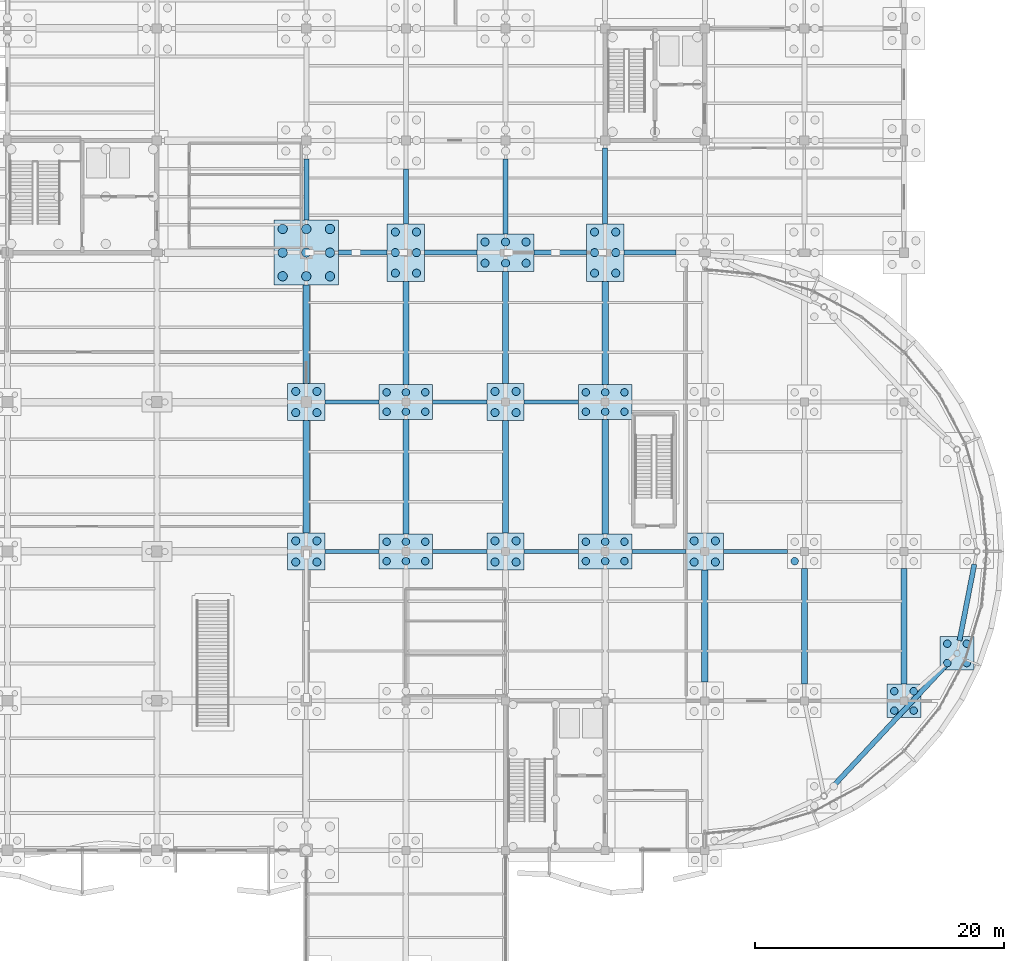
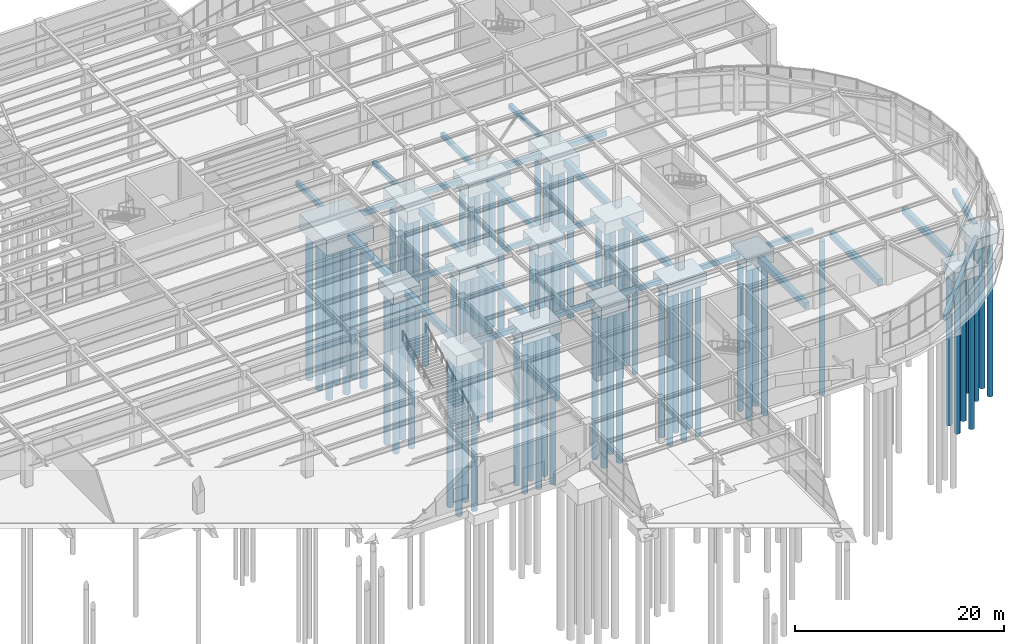
# One storey, part 8 of 85: 80 piles, 44 footings.
"""IFC4 building model written with IfcOpenShell, lengths in metres."""

from ifc_helpers import new_model, si_unit, direction, frame, origin, origin_2d, place, context, subcontext, project, spatial, polyline, rectangle, circle, outline, extrude, material, material_profile, profile_set, type_object, element, save


model = new_model("IFC4")

# Units and contexts
model_context = context("Model", 3, precision=1e-05, world=origin(), true_north=direction((0.0, 1.0)))
body_context = subcontext(model_context, "Body", "Model", "MODEL_VIEW")
ifc_project = project(units=[si_unit("LENGTHUNIT", "METRE"), si_unit("AREAUNIT", "SQUARE_METRE"), si_unit("VOLUMEUNIT", "CUBIC_METRE"), si_unit("PLANEANGLEUNIT", "RADIAN"), si_unit("MASSUNIT", "GRAM", prefix="KILO")], contexts=[model_context])

# Site, building, storey
site_placement = place(None, origin())
site = spatial("IfcSite", under=ifc_project, at=site_placement, CompositionType="ELEMENT")
building_placement = place(site_placement, origin())
building = spatial("IfcBuilding", under=site, at=building_placement, Name="Keelwater Ferry Terminal", CompositionType="ELEMENT")
storey_placement = place(building_placement, origin())
storey = spatial("IfcBuildingStorey", under=building, at=storey_placement, Name="L00", CompositionType="ELEMENT", Elevation=0.0)

# Piles
ifc_material_1 = material(Name="Concrete C45/55", Category="concrete")
ifc_material_profile_1 = material_profile(ifc_material_1, circle(Radius=0.375, at=origin_2d()), Name="PILE D750")
ifc_profile_set_1 = profile_set([ifc_material_profile_1], Name="Concrete C45/55")
pile_type_1 = type_object("IfcPileType", Name="P1 PILE D750", PredefinedType="DRIVEN", material=ifc_profile_set_1)
for number, where, z_axis, x_axis, name in (
    (1, (130.10009765625, 88.10009765625, -2.10009765625), (0.0, 0.0, -1.0), (1.0, 0.0, 0.0), "Driven Pile 0366"),
    (2, (132.0, 88.10009765625, -2.10009765625), (0.0, 0.0, -1.0), (1.0, 0.0, 0.0), "Driven Pile 0367"),
    (3, (133.89990234375, 88.10009765625, -2.10009765625), (0.0, 0.0, -1.0), (1.0, 0.0, 0.0), "Driven Pile 0368"),
    (4, (130.10009765625, 90.0, -2.10009765625), (0.0, 0.0, -1.0), (1.0, 0.0, 0.0), "Driven Pile 0369"),
    (5, (132.0, 90.0, -2.10009765625), (0.0, 0.0, -1.0), (1.0, 0.0, 0.0), "Driven Pile 0370"),
    (6, (133.89990234375, 90.0, -2.10009765625), (0.0, 0.0, -1.0), (1.0, 0.0, 0.0), "Driven Pile 0371"),
    (7, (130.10009765625, 91.89990234375, -2.10009765625), (0.0, 0.0, -1.0), (1.0, 0.0, 0.0), "Driven Pile 0372"),
    (8, (132.0, 91.89990234375, -2.10009765625), (0.0, 0.0, -1.0), (1.0, 0.0, 0.0), "Driven Pile 0373"),
    (9, (133.89990234375, 91.89990234375, -2.10009765625), (0.0, 0.0, -1.0), (1.0, 0.0, 0.0), "Driven Pile 0374"),
):
    element("IfcPile", number, at=place(storey_placement, frame(where, z_axis=z_axis, x_axis=x_axis)), inside=storey, type_object=pile_type_1, Name=name, PredefinedType="DRIVEN", context=body_context, shape_type="SweptSolid", body=[
        extrude(circle(Radius=0.375, at=origin_2d()), origin(), (0.0, 0.0, 1.0), 17.39990234375),
    ])
ifc_material_2 = material(Name="Concrete C45/55", Category="concrete")
ifc_material_profile_2 = material_profile(ifc_material_2, circle(Radius=0.324951171875, at=origin_2d()), Name="PILE D650")
ifc_profile_set_2 = profile_set([ifc_material_profile_2], Name="Concrete C45/55")
pile_type_2 = type_object("IfcPileType", Name="P2 PILE D650", PredefinedType="DRIVEN", material=ifc_profile_set_2)
for number, where, z_axis, x_axis, name in (
    (10, (131.14990234375, 65.14990234375, -1.60009765625), (0.0, 0.0, -1.0), (1.0, 0.0, 0.0), "Driven Pile 0358"),
    (11, (132.85009765625, 65.14990234375, -1.60009765625), (0.0, 0.0, -1.0), (1.0, 0.0, 0.0), "Driven Pile 0359"),
    (12, (131.14990234375, 66.85009765625, -1.60009765625), (0.0, 0.0, -1.0), (1.0, 0.0, 0.0), "Driven Pile 0360"),
    (13, (132.85009765625, 66.85009765625, -1.60009765625), (0.0, 0.0, -1.0), (1.0, 0.0, 0.0), "Driven Pile 0361"),
    (14, (131.14990234375, 77.14990234375, -1.60009765625), (0.0, 0.0, -1.0), (1.0, 0.0, 0.0), "Driven Pile 0362"),
    (15, (132.85009765625, 77.14990234375, -1.60009765625), (0.0, 0.0, -1.0), (1.0, 0.0, 0.0), "Driven Pile 0363"),
    (16, (131.14990234375, 78.85009765625, -1.60009765625), (0.0, 0.0, -1.0), (1.0, 0.0, 0.0), "Driven Pile 0364"),
    (17, (132.85009765625, 78.85009765625, -1.60009765625), (0.0, 0.0, -1.0), (1.0, 0.0, 0.0), "Driven Pile 0365"),
):
    element("IfcPile", number, at=place(storey_placement, frame(where, z_axis=z_axis, x_axis=x_axis)), inside=storey, type_object=pile_type_2, Name=name, PredefinedType="DRIVEN", context=body_context, shape_type="SweptSolid", body=[
        extrude(circle(Radius=0.324951171875, at=origin_2d()), origin(), (0.0, 0.0, 1.0), 17.89990234375),
    ])
for number, where, z_axis, x_axis, name in (
    (18, (139.14990234375, 88.35009765625, -1.800048828125), (0.0, 0.0, -1.0), (1.0, 0.0, 0.0), "Driven Pile 0427"),
    (19, (140.85009765625, 88.35009765625, -1.800048828125), (0.0, 0.0, -1.0), (1.0, 0.0, 0.0), "Driven Pile 0428"),
    (20, (139.14990234375, 90.0, -1.800048828125), (0.0, 0.0, -1.0), (1.0, 0.0, 0.0), "Driven Pile 0429"),
    (21, (140.85009765625, 90.0, -1.800048828125), (0.0, 0.0, -1.0), (1.0, 0.0, 0.0), "Driven Pile 0430"),
    (22, (139.14990234375, 91.64990234375, -1.800048828125), (0.0, 0.0, -1.0), (1.0, 0.0, 0.0), "Driven Pile 0431"),
    (23, (140.85009765625, 91.64990234375, -1.800048828125), (0.0, 0.0, -1.0), (1.0, 0.0, 0.0), "Driven Pile 0432"),
):
    element("IfcPile", number, at=place(storey_placement, frame(where, z_axis=z_axis, x_axis=x_axis)), inside=storey, type_object=pile_type_2, Name=name, PredefinedType="DRIVEN", context=body_context, shape_type="SweptSolid", body=[
        extrude(circle(Radius=0.324951171875, at=origin_2d()), origin(), (0.0, 0.0, 1.0), 17.699951171875),
    ])
for number, where, z_axis, x_axis, name in (
    (24, (147.14990234375, 65.14990234375, -1.60009765625), (0.0, 0.0, -1.0), (1.0, 0.0, 0.0), "Driven Pile 0459"),
    (25, (148.85009765625, 65.14990234375, -1.60009765625), (0.0, 0.0, -1.0), (1.0, 0.0, 0.0), "Driven Pile 0460"),
    (26, (147.14990234375, 66.85009765625, -1.60009765625), (0.0, 0.0, -1.0), (1.0, 0.0, 0.0), "Driven Pile 0461"),
    (27, (148.85009765625, 66.85009765625, -1.60009765625), (0.0, 0.0, -1.0), (1.0, 0.0, 0.0), "Driven Pile 0462"),
    (28, (147.14990234375, 77.14990234375, -1.60009765625), (0.0, 0.0, -1.0), (1.0, 0.0, 0.0), "Driven Pile 0463"),
    (29, (148.85009765625, 77.14990234375, -1.60009765625), (0.0, 0.0, -1.0), (1.0, 0.0, 0.0), "Driven Pile 0464"),
    (30, (147.14990234375, 78.85009765625, -1.60009765625), (0.0, 0.0, -1.0), (1.0, 0.0, 0.0), "Driven Pile 0465"),
    (31, (148.85009765625, 78.85009765625, -1.60009765625), (0.0, 0.0, -1.0), (1.0, 0.0, 0.0), "Driven Pile 0466"),
):
    element("IfcPile", number, at=place(storey_placement, frame(where, z_axis=z_axis, x_axis=x_axis)), inside=storey, type_object=pile_type_2, Name=name, PredefinedType="DRIVEN", context=body_context, shape_type="SweptSolid", body=[
        extrude(circle(Radius=0.324951171875, at=origin_2d()), origin(), (0.0, 0.0, 1.0), 17.89990234375),
    ])
for number, where, z_axis, x_axis, name in (
    (32, (146.35009765625, 89.14990234375, -1.800048828125), (0.0, 0.0, -1.0), (1.0, 0.0, 0.0), "Driven Pile 0467"),
    (33, (148.0, 89.14990234375, -1.800048828125), (0.0, 0.0, -1.0), (1.0, 0.0, 0.0), "Driven Pile 0468"),
    (34, (149.64990234375, 89.14990234375, -1.800048828125), (0.0, 0.0, -1.0), (1.0, 0.0, 0.0), "Driven Pile 0469"),
    (35, (146.35009765625, 90.85009765625, -1.800048828125), (0.0, 0.0, -1.0), (1.0, 0.0, 0.0), "Driven Pile 0470"),
    (36, (148.0, 90.85009765625, -1.800048828125), (0.0, 0.0, -1.0), (1.0, 0.0, 0.0), "Driven Pile 0471"),
    (37, (149.64990234375, 90.85009765625, -1.800048828125), (0.0, 0.0, -1.0), (1.0, 0.0, 0.0), "Driven Pile 0472"),
    (38, (155.14990234375, 88.35009765625, -1.800048828125), (0.0, 0.0, -1.0), (1.0, 0.0, 0.0), "Driven Pile 0503"),
    (39, (156.85009765625, 88.35009765625, -1.800048828125), (0.0, 0.0, -1.0), (1.0, 0.0, 0.0), "Driven Pile 0504"),
    (40, (155.14990234375, 90.0, -1.800048828125), (0.0, 0.0, -1.0), (1.0, 0.0, 0.0), "Driven Pile 0505"),
    (41, (156.85009765625, 90.0, -1.800048828125), (0.0, 0.0, -1.0), (1.0, 0.0, 0.0), "Driven Pile 0506"),
    (42, (155.14990234375, 91.64990234375, -1.800048828125), (0.0, 0.0, -1.0), (1.0, 0.0, 0.0), "Driven Pile 0507"),
    (43, (156.85009765625, 91.64990234375, -1.800048828125), (0.0, 0.0, -1.0), (1.0, 0.0, 0.0), "Driven Pile 0508"),
):
    element("IfcPile", number, at=place(storey_placement, frame(where, z_axis=z_axis, x_axis=x_axis)), inside=storey, type_object=pile_type_2, Name=name, PredefinedType="DRIVEN", context=body_context, shape_type="SweptSolid", body=[
        extrude(circle(Radius=0.324951171875, at=origin_2d()), origin(), (0.0, 0.0, 1.0), 17.699951171875),
    ])
for number, where, z_axis, x_axis, name in (
    (44, (163.14990234375, 65.14990234375, -1.60009765625), (0.0, 0.0, -1.0), (1.0, 0.0, 0.0), "Driven Pile 0523"),
    (45, (164.85009765625, 65.14990234375, -1.60009765625), (0.0, 0.0, -1.0), (1.0, 0.0, 0.0), "Driven Pile 0524"),
    (46, (163.14990234375, 66.85009765625, -1.60009765625), (0.0, 0.0, -1.0), (1.0, 0.0, 0.0), "Driven Pile 0525"),
    (47, (164.85009765625, 66.85009765625, -1.60009765625), (0.0, 0.0, -1.0), (1.0, 0.0, 0.0), "Driven Pile 0526"),
):
    element("IfcPile", number, at=place(storey_placement, frame(where, z_axis=z_axis, x_axis=x_axis)), inside=storey, type_object=pile_type_2, Name=name, PredefinedType="DRIVEN", context=body_context, shape_type="SweptSolid", body=[
        extrude(circle(Radius=0.324951171875, at=origin_2d()), origin(), (0.0, 0.0, 1.0), 17.89990234375),
    ])
ifc_material_3 = material(Name="Concrete C45/55", Category="concrete")
ifc_material_profile_3 = material_profile(ifc_material_3, circle(Radius=0.300048828125, at=origin_2d()), Name="PILE D600")
ifc_profile_set_3 = profile_set([ifc_material_profile_3], Name="Concrete C45/55")
pile_type_3 = type_object("IfcPileType", Name="P3 PILE D600", PredefinedType="DRIVEN", material=ifc_profile_set_3)
for number, where, z_axis, x_axis, name in (
    (48, (138.449951171875, 65.219970703125, -1.64990234375), (0.0, 0.0, -1.0), (1.0, 0.0, 0.0), "Driven Pile 0415"),
    (49, (140.0, 65.219970703125, -1.64990234375), (0.0, 0.0, -1.0), (1.0, 0.0, 0.0), "Driven Pile 0416"),
    (50, (141.550048828125, 65.219970703125, -1.64990234375), (0.0, 0.0, -1.0), (1.0, 0.0, 0.0), "Driven Pile 0417"),
    (51, (138.449951171875, 66.780029296875, -1.64990234375), (0.0, 0.0, -1.0), (1.0, 0.0, 0.0), "Driven Pile 0418"),
    (52, (140.0, 66.780029296875, -1.64990234375), (0.0, 0.0, -1.0), (1.0, 0.0, 0.0), "Driven Pile 0419"),
    (53, (141.550048828125, 66.780029296875, -1.64990234375), (0.0, 0.0, -1.0), (1.0, 0.0, 0.0), "Driven Pile 0420"),
    (54, (138.449951171875, 77.219970703125, -1.64990234375), (0.0, 0.0, -1.0), (1.0, 0.0, 0.0), "Driven Pile 0421"),
    (55, (140.0, 77.219970703125, -1.64990234375), (0.0, 0.0, -1.0), (1.0, 0.0, 0.0), "Driven Pile 0422"),
    (56, (141.550048828125, 77.219970703125, -1.64990234375), (0.0, 0.0, -1.0), (1.0, 0.0, 0.0), "Driven Pile 0423"),
    (57, (138.449951171875, 78.780029296875, -1.64990234375), (0.0, 0.0, -1.0), (1.0, 0.0, 0.0), "Driven Pile 0424"),
    (58, (140.0, 78.780029296875, -1.64990234375), (0.0, 0.0, -1.0), (1.0, 0.0, 0.0), "Driven Pile 0425"),
    (59, (141.550048828125, 78.780029296875, -1.64990234375), (0.0, 0.0, -1.0), (1.0, 0.0, 0.0), "Driven Pile 0426"),
    (60, (154.449951171875, 65.219970703125, -1.64990234375), (0.0, 0.0, -1.0), (1.0, 0.0, 0.0), "Driven Pile 0491"),
    (61, (156.0, 65.219970703125, -1.64990234375), (0.0, 0.0, -1.0), (1.0, 0.0, 0.0), "Driven Pile 0492"),
    (62, (157.550048828125, 65.219970703125, -1.64990234375), (0.0, 0.0, -1.0), (1.0, 0.0, 0.0), "Driven Pile 0493"),
    (63, (154.449951171875, 66.780029296875, -1.64990234375), (0.0, 0.0, -1.0), (1.0, 0.0, 0.0), "Driven Pile 0494"),
    (64, (156.0, 66.780029296875, -1.64990234375), (0.0, 0.0, -1.0), (1.0, 0.0, 0.0), "Driven Pile 0495"),
    (65, (157.550048828125, 66.780029296875, -1.64990234375), (0.0, 0.0, -1.0), (1.0, 0.0, 0.0), "Driven Pile 0496"),
    (66, (154.449951171875, 77.219970703125, -1.64990234375), (0.0, 0.0, -1.0), (1.0, 0.0, 0.0), "Driven Pile 0497"),
    (67, (156.0, 77.219970703125, -1.64990234375), (0.0, 0.0, -1.0), (1.0, 0.0, 0.0), "Driven Pile 0498"),
    (68, (157.550048828125, 77.219970703125, -1.64990234375), (0.0, 0.0, -1.0), (1.0, 0.0, 0.0), "Driven Pile 0499"),
    (69, (154.449951171875, 78.780029296875, -1.64990234375), (0.0, 0.0, -1.0), (1.0, 0.0, 0.0), "Driven Pile 0500"),
    (70, (156.0, 78.780029296875, -1.64990234375), (0.0, 0.0, -1.0), (1.0, 0.0, 0.0), "Driven Pile 0501"),
    (71, (157.550048828125, 78.780029296875, -1.64990234375), (0.0, 0.0, -1.0), (1.0, 0.0, 0.0), "Driven Pile 0502"),
):
    element("IfcPile", number, at=place(storey_placement, frame(where, z_axis=z_axis, x_axis=x_axis)), inside=storey, type_object=pile_type_3, Name=name, PredefinedType="DRIVEN", context=body_context, shape_type="SweptSolid", body=[
        extrude(circle(Radius=0.300048828125, at=origin_2d()), origin(), (0.0, 0.0, 1.0), 17.85009765625),
    ])
for number, where, z_axis, x_axis, name in (
    (72, (171.219970703125, 65.219970703125, -1.5), (0.0, 0.0, -1.0), (1.0, 0.0, 0.0), "Driven Pile 0547"),
    (73, (179.219970703125, 53.219970703125, -1.5), (0.0, 0.0, -1.0), (1.0, 0.0, 0.0), "Driven Pile 0583"),
    (74, (180.780029296875, 53.219970703125, -1.5), (0.0, 0.0, -1.0), (1.0, 0.0, 0.0), "Driven Pile 0584"),
    (75, (179.219970703125, 54.780029296875, -1.5), (0.0, 0.0, -1.0), (1.0, 0.0, 0.0), "Driven Pile 0585"),
    (76, (180.780029296875, 54.780029296875, -1.5), (0.0, 0.0, -1.0), (1.0, 0.0, 0.0), "Driven Pile 0586"),
    (77, (183.47900390625, 57.034912109375, -1.5), (0.0, 0.0, -1.0), (1.0, 0.0, 0.0), "Driven Pile 0647"),
    (78, (185.0390625, 57.034912109375, -1.5), (0.0, 0.0, -1.0), (1.0, 0.0, 0.0), "Driven Pile 0648"),
    (79, (183.47900390625, 58.594970703125, -1.5), (0.0, 0.0, -1.0), (1.0, 0.0, 0.0), "Driven Pile 0649"),
    (80, (185.0390625, 58.594970703125, -1.5), (0.0, 0.0, -1.0), (1.0, 0.0, 0.0), "Driven Pile 0650"),
):
    element("IfcPile", number, at=place(storey_placement, frame(where, z_axis=z_axis, x_axis=x_axis)), inside=storey, type_object=pile_type_3, Name=name, PredefinedType="DRIVEN", context=body_context, shape_type="SweptSolid", body=[
        extrude(circle(Radius=0.300048828125, at=origin_2d()), origin(), (0.0, 0.0, 1.0), 18.0),
    ])

# Footings
ifc_material_4 = material(Name="Concrete C40/50", Category="concrete")
footing_type_1 = type_object("IfcFootingType", Name="PC04 2700x2700x1200", PredefinedType="PILE_CAP", material=ifc_material_4)
footing_1_placement = place(storey_placement, frame((0.0, 0.0, -1.60009765625)))
element("IfcFooting", 81, at=footing_1_placement, inside=storey, type_object=footing_type_1, Name="Pile Cap FT-CAP-0148", PredefinedType="PILE_CAP", context=body_context, shape_type="SweptSolid", body=[
    extrude(outline(polyline([(178.64990234375, 52.64990234375), (181.35009765625, 52.64990234375), (181.35009765625, 55.35009765625), (178.64990234375, 55.35009765625), (178.64990234375, 52.64990234375)])), origin(), (0.0, 0.0, 1.0), 1.2001953125),
])
footing_2_placement = place(storey_placement, frame((0.0, 0.0, -1.60009765625)))
element("IfcFooting", 82, at=footing_2_placement, inside=storey, type_object=footing_type_1, Name="Pile Cap FT-CAP-0164", PredefinedType="PILE_CAP", context=body_context, shape_type="SweptSolid", body=[
    extrude(outline(polyline([(182.908935546875, 56.465087890625), (185.60888671875, 56.465087890625), (185.60888671875, 59.1650390625), (182.908935546875, 59.1650390625), (182.908935546875, 56.465087890625)])), origin(), (0.0, 0.0, 1.0), 1.2001953125),
])
ifc_material_5 = material(Name="Concrete C40/50", Category="concrete")
footing_type_2 = type_object("IfcFootingType", Name="PC05 3000x3000x1300", PredefinedType="PILE_CAP", material=ifc_material_5)
footing_3_placement = place(storey_placement, frame((0.0, 0.0, -1.699951171875)))
element("IfcFooting", 83, at=footing_3_placement, inside=storey, type_object=footing_type_2, Name="Pile Cap FT-CAP-0101", PredefinedType="PILE_CAP", context=body_context, shape_type="SweptSolid", body=[
    extrude(outline(polyline([(130.5, 64.5), (133.5, 64.5), (133.5, 67.5), (130.5, 67.5), (130.5, 64.5)])), origin(), (0.0, 0.0, 1.0), 1.300048828125),
])
footing_4_placement = place(storey_placement, frame((0.0, 0.0, -1.699951171875)))
element("IfcFooting", 84, at=footing_4_placement, inside=storey, type_object=footing_type_2, Name="Pile Cap FT-CAP-0102", PredefinedType="PILE_CAP", context=body_context, shape_type="SweptSolid", body=[
    extrude(outline(polyline([(130.5, 76.5), (133.5, 76.5), (133.5, 79.5), (130.5, 79.5), (130.5, 76.5)])), origin(), (0.0, 0.0, 1.0), 1.300048828125),
])
footing_5_placement = place(storey_placement, frame((0.0, 0.0, -1.699951171875)))
element("IfcFooting", 85, at=footing_5_placement, inside=storey, type_object=footing_type_2, Name="Pile Cap FT-CAP-0124", PredefinedType="PILE_CAP", context=body_context, shape_type="SweptSolid", body=[
    extrude(outline(polyline([(146.5, 64.5), (149.5, 64.5), (149.5, 67.5), (146.5, 67.5), (146.5, 64.5)])), origin(), (0.0, 0.0, 1.0), 1.300048828125),
])
footing_6_placement = place(storey_placement, frame((0.0, 0.0, -1.699951171875)))
element("IfcFooting", 86, at=footing_6_placement, inside=storey, type_object=footing_type_2, Name="Pile Cap FT-CAP-0125", PredefinedType="PILE_CAP", context=body_context, shape_type="SweptSolid", body=[
    extrude(outline(polyline([(146.5, 76.5), (149.5, 76.5), (149.5, 79.5), (146.5, 79.5), (146.5, 76.5)])), origin(), (0.0, 0.0, 1.0), 1.300048828125),
])
footing_7_placement = place(storey_placement, frame((0.0, 0.0, -1.699951171875)))
element("IfcFooting", 87, at=footing_7_placement, inside=storey, type_object=footing_type_2, Name="Pile Cap FT-CAP-0136", PredefinedType="PILE_CAP", context=body_context, shape_type="SweptSolid", body=[
    extrude(outline(polyline([(162.5, 64.5), (165.5, 64.5), (165.5, 67.5), (162.5, 67.5), (162.5, 64.5)])), origin(), (0.0, 0.0, 1.0), 1.300048828125),
])
ifc_material_6 = material(Name="Concrete C40/50", Category="concrete")
footing_type_3 = type_object("IfcFootingType", Name="PC07 4600x3000x1500", PredefinedType="PILE_CAP", material=ifc_material_6)
footing_8_placement = place(storey_placement, frame((0.0, 0.0, -1.89990234375)))
element("IfcFooting", 88, at=footing_8_placement, inside=storey, type_object=footing_type_3, Name="Pile Cap FT-CAP-0126", PredefinedType="PILE_CAP", context=body_context, shape_type="SweptSolid", body=[
    extrude(outline(polyline([(145.699951171875, 88.5), (150.300048828125, 88.5), (150.300048828125, 91.5), (145.699951171875, 91.5), (145.699951171875, 88.5)])), origin(), (0.0, 0.0, 1.0), 1.5),
])
ifc_material_7 = material(Name="Concrete C40/50", Category="concrete")
footing_type_4 = type_object("IfcFootingType", Name="PC08 3000x4600x1500", PredefinedType="PILE_CAP", material=ifc_material_7)
footing_9_placement = place(storey_placement, frame((0.0, 0.0, -1.89990234375)))
element("IfcFooting", 89, at=footing_9_placement, inside=storey, type_object=footing_type_4, Name="Pile Cap FT-CAP-0116", PredefinedType="PILE_CAP", context=body_context, shape_type="SweptSolid", body=[
    extrude(outline(polyline([(138.5, 87.699951171875), (141.5, 87.699951171875), (141.5, 92.300048828125), (138.5, 92.300048828125), (138.5, 87.699951171875)])), origin(), (0.0, 0.0, 1.0), 1.5),
])
footing_10_placement = place(storey_placement, frame((0.0, 0.0, -1.89990234375)))
element("IfcFooting", 90, at=footing_10_placement, inside=storey, type_object=footing_type_4, Name="Pile Cap FT-CAP-0132", PredefinedType="PILE_CAP", context=body_context, shape_type="SweptSolid", body=[
    extrude(outline(polyline([(154.5, 87.699951171875), (157.5, 87.699951171875), (157.5, 92.300048828125), (154.5, 92.300048828125), (154.5, 87.699951171875)])), origin(), (0.0, 0.0, 1.0), 1.5),
])
ifc_material_8 = material(Name="Concrete C40/50", Category="concrete")
footing_type_5 = type_object("IfcFootingType", Name="PC09 5200x5200x1800", PredefinedType="PILE_CAP", material=ifc_material_8)
footing_11_placement = place(storey_placement, frame((0.0, 0.0, -2.199951171875)))
element("IfcFooting", 91, at=footing_11_placement, inside=storey, type_object=footing_type_5, Name="Pile Cap FT-CAP-0103", PredefinedType="PILE_CAP", context=body_context, shape_type="SweptSolid", body=[
    extrude(outline(polyline([(129.39990234375, 87.39990234375), (134.60009765625, 87.39990234375), (134.60009765625, 92.60009765625), (129.39990234375, 92.60009765625), (129.39990234375, 87.39990234375)])), origin(), (0.0, 0.0, 1.0), 1.800048828125),
])
ifc_material_9 = material(Name="Concrete C40/50", Category="concrete")
footing_type_6 = type_object("IfcFootingType", Name="PC13 4300x2800x1350", PredefinedType="PILE_CAP", material=ifc_material_9)
footing_12_placement = place(storey_placement, frame((0.0, 0.0, -1.75)))
element("IfcFooting", 92, at=footing_12_placement, inside=storey, type_object=footing_type_6, Name="Pile Cap FT-CAP-0114", PredefinedType="PILE_CAP", context=body_context, shape_type="SweptSolid", body=[
    extrude(outline(polyline([(137.85009765625, 64.60009765625), (142.14990234375, 64.60009765625), (142.14990234375, 67.39990234375), (137.85009765625, 67.39990234375), (137.85009765625, 64.60009765625)])), origin(), (0.0, 0.0, 1.0), 1.35009765625),
])
footing_13_placement = place(storey_placement, frame((0.0, 0.0, -1.75)))
element("IfcFooting", 93, at=footing_13_placement, inside=storey, type_object=footing_type_6, Name="Pile Cap FT-CAP-0115", PredefinedType="PILE_CAP", context=body_context, shape_type="SweptSolid", body=[
    extrude(outline(polyline([(137.85009765625, 76.60009765625), (142.14990234375, 76.60009765625), (142.14990234375, 79.39990234375), (137.85009765625, 79.39990234375), (137.85009765625, 76.60009765625)])), origin(), (0.0, 0.0, 1.0), 1.35009765625),
])
footing_14_placement = place(storey_placement, frame((0.0, 0.0, -1.75)))
element("IfcFooting", 94, at=footing_14_placement, inside=storey, type_object=footing_type_6, Name="Pile Cap FT-CAP-0130", PredefinedType="PILE_CAP", context=body_context, shape_type="SweptSolid", body=[
    extrude(outline(polyline([(153.85009765625, 64.60009765625), (158.14990234375, 64.60009765625), (158.14990234375, 67.39990234375), (153.85009765625, 67.39990234375), (153.85009765625, 64.60009765625)])), origin(), (0.0, 0.0, 1.0), 1.35009765625),
])
footing_15_placement = place(storey_placement, frame((0.0, 0.0, -1.75)))
element("IfcFooting", 95, at=footing_15_placement, inside=storey, type_object=footing_type_6, Name="Pile Cap FT-CAP-0131", PredefinedType="PILE_CAP", context=body_context, shape_type="SweptSolid", body=[
    extrude(outline(polyline([(153.85009765625, 76.60009765625), (158.14990234375, 76.60009765625), (158.14990234375, 79.39990234375), (153.85009765625, 79.39990234375), (153.85009765625, 76.60009765625)])), origin(), (0.0, 0.0, 1.0), 1.35009765625),
])
ifc_material_10 = material(Name="Concrete C40/50", Category="concrete")
ifc_material_profile_4 = material_profile(ifc_material_10, rectangle(XDim=0.5, YDim=0.75, at=origin_2d()), Name="TB 500x750")
ifc_profile_set_4 = profile_set([ifc_material_profile_4], Name="Concrete C40/50")
footing_type_7 = type_object("IfcFootingType", Name="TB2 500x750", PredefinedType="FOOTING_BEAM", material=ifc_profile_set_4)
footing_16_placement = place(storey_placement, frame((132.0, 67.5, -0.77490234375), z_axis=(0.0, 1.0, 0.0), x_axis=(-1.0, 0.0, 0.0)))
element("IfcFooting", 96, at=footing_16_placement, inside=storey, type_object=footing_type_7, Name="Ground Tie Beam 0238", PredefinedType="FOOTING_BEAM", context=body_context, shape_type="SweptSolid", body=[
    extrude(rectangle(XDim=0.5, YDim=0.75, at=origin_2d()), origin(), (0.0, 0.0, 1.0), 9.0),
])
footing_17_placement = place(storey_placement, frame((132.0, 79.5, -0.77490234375), z_axis=(0.0, 1.0, 0.0), x_axis=(-1.0, 0.0, 0.0)))
element("IfcFooting", 97, at=footing_17_placement, inside=storey, type_object=footing_type_7, Name="Ground Tie Beam 0239", PredefinedType="FOOTING_BEAM", context=body_context, shape_type="SweptSolid", body=[
    extrude(rectangle(XDim=0.5, YDim=0.75, at=origin_2d()), origin(), (0.0, 0.0, 1.0), 7.89990234375),
])
footing_18_placement = place(storey_placement, frame((140.0, 67.39990234375, -0.77490234375), z_axis=(0.0, 1.0, 0.0), x_axis=(-1.0, 0.0, 0.0)))
element("IfcFooting", 98, at=footing_18_placement, inside=storey, type_object=footing_type_7, Name="Ground Tie Beam 0250", PredefinedType="FOOTING_BEAM", context=body_context, shape_type="SweptSolid", body=[
    extrude(rectangle(XDim=0.5, YDim=0.75, at=origin_2d()), origin(), (0.0, 0.0, 1.0), 9.2001953125),
])
footing_19_placement = place(storey_placement, frame((140.0, 79.39990234375, -0.77490234375), z_axis=(0.0, 1.0, 0.0), x_axis=(-1.0, 0.0, 0.0)))
element("IfcFooting", 99, at=footing_19_placement, inside=storey, type_object=footing_type_7, Name="Ground Tie Beam 0251", PredefinedType="FOOTING_BEAM", context=body_context, shape_type="SweptSolid", body=[
    extrude(rectangle(XDim=0.5, YDim=0.75, at=origin_2d()), origin(), (0.0, 0.0, 1.0), 8.300048828125),
])
for number, where, z_axis, x_axis, name in (
    (100, (148.0, 67.5, -0.77490234375), (0.0, 1.0, 0.0), (-1.0, 0.0, 0.0), "Ground Tie Beam 0260"),
    (101, (148.0, 79.5, -0.77490234375), (0.0, 1.0, 0.0), (-1.0, 0.0, 0.0), "Ground Tie Beam 0261"),
):
    element("IfcFooting", number, at=place(storey_placement, frame(where, z_axis=z_axis, x_axis=x_axis)), inside=storey, type_object=footing_type_7, Name=name, PredefinedType="FOOTING_BEAM", context=body_context, shape_type="SweptSolid", body=[
        extrude(rectangle(XDim=0.5, YDim=0.75, at=origin_2d()), origin(), (0.0, 0.0, 1.0), 9.0),
    ])
footing_20_placement = place(storey_placement, frame((156.0, 67.39990234375, -0.77490234375), z_axis=(0.0, 1.0, 0.0), x_axis=(-1.0, 0.0, 0.0)))
element("IfcFooting", 102, at=footing_20_placement, inside=storey, type_object=footing_type_7, Name="Ground Tie Beam 0266", PredefinedType="FOOTING_BEAM", context=body_context, shape_type="SweptSolid", body=[
    extrude(rectangle(XDim=0.5, YDim=0.75, at=origin_2d()), origin(), (0.0, 0.0, 1.0), 9.2001953125),
])
footing_21_placement = place(storey_placement, frame((156.0, 79.39990234375, -0.77490234375), z_axis=(0.0, 1.0, 0.0), x_axis=(-1.0, 0.0, 0.0)))
element("IfcFooting", 103, at=footing_21_placement, inside=storey, type_object=footing_type_7, Name="Ground Tie Beam 0267", PredefinedType="FOOTING_BEAM", context=body_context, shape_type="SweptSolid", body=[
    extrude(rectangle(XDim=0.5, YDim=0.75, at=origin_2d()), origin(), (0.0, 0.0, 1.0), 8.300048828125),
])
footing_22_placement = place(storey_placement, frame((164.0, 55.5, -0.77490234375), z_axis=(0.0, 1.0, 0.0), x_axis=(-1.0, 0.0, 0.0)))
element("IfcFooting", 104, at=footing_22_placement, inside=storey, type_object=footing_type_7, Name="Ground Tie Beam 0271", PredefinedType="FOOTING_BEAM", context=body_context, shape_type="SweptSolid", body=[
    extrude(rectangle(XDim=0.5, YDim=0.75, at=origin_2d()), origin(), (0.0, 0.0, 1.0), 9.0),
])
for number, where, z_axis, x_axis, name in (
    (105, (172.0, 55.35009765625, -0.77490234375), (0.0, 1.0, 0.0), (-1.0, 0.0, 0.0), "Ground Tie Beam 0276"),
    (106, (180.0, 55.35009765625, -0.77490234375), (0.0, 1.0, 0.0), (-1.0, 0.0, 0.0), "Ground Tie Beam 0283"),
):
    element("IfcFooting", number, at=place(storey_placement, frame(where, z_axis=z_axis, x_axis=x_axis)), inside=storey, type_object=footing_type_7, Name=name, PredefinedType="FOOTING_BEAM", context=body_context, shape_type="SweptSolid", body=[
        extrude(rectangle(XDim=0.5, YDim=0.75, at=origin_2d()), origin(), (0.0, 0.0, 1.0), 9.2998046875),
    ])
ifc_material_11 = material(Name="Concrete C40/50", Category="concrete")
ifc_material_profile_5 = material_profile(ifc_material_11, rectangle(XDim=0.39990234375, YDim=0.60009765625, at=origin_2d()), Name="TB 400x600")
ifc_profile_set_5 = profile_set([ifc_material_profile_5], Name="Concrete C40/50")
footing_type_8 = type_object("IfcFootingType", Name="TB5 400x600", PredefinedType="FOOTING_BEAM", material=ifc_profile_set_5)
footing_23_placement = place(storey_placement, frame((134.60009765625, 90.0, -0.699951171875), z_axis=(1.0, 0.0, 0.0), x_axis=(0.0, 1.0, 0.0)))
element("IfcFooting", 107, at=footing_23_placement, inside=storey, type_object=footing_type_8, Name="Ground Tie Beam 0090", PredefinedType="FOOTING_BEAM", context=body_context, shape_type="SweptSolid", body=[
    extrude(rectangle(XDim=0.39990234375, YDim=0.60009765625, at=origin_2d()), origin(), (0.0, 0.0, 1.0), 3.89990234375),
])
for number, where, z_axis, x_axis, name in (
    (108, (141.5, 90.0, -0.699951171875), (1.0, 0.0, 0.0), (0.0, 1.0, 0.0), "Ground Tie Beam 0091"),
    (109, (150.300048828125, 90.0, -0.699951171875), (1.0, 0.0, 0.0), (0.0, 1.0, 0.0), "Ground Tie Beam 0092"),
    (110, (157.5, 90.0, -0.699951171875), (1.0, 0.0, 0.0), (0.0, 1.0, 0.0), "Ground Tie Beam 0093"),
):
    element("IfcFooting", number, at=place(storey_placement, frame(where, z_axis=z_axis, x_axis=x_axis)), inside=storey, type_object=footing_type_8, Name=name, PredefinedType="FOOTING_BEAM", context=body_context, shape_type="SweptSolid", body=[
        extrude(rectangle(XDim=0.39990234375, YDim=0.60009765625, at=origin_2d()), origin(), (0.0, 0.0, 1.0), 4.199951171875),
    ])
footing_24_placement = place(storey_placement, frame((185.64990234375, 64.968994140625, -0.699951171875), z_axis=(-0.190919942983, -0.981605610911, 0.0), x_axis=(0.981605610911, -0.190919942983, 0.0)))
element("IfcFooting", 111, at=footing_24_placement, inside=storey, type_object=footing_type_8, Name="Ground Tie Beam 0299", PredefinedType="FOOTING_BEAM", context=body_context, shape_type="SweptSolid", body=[
    extrude(rectangle(XDim=0.39990234375, YDim=0.60009765625, at=origin_2d()), origin(), (0.0, 0.0, 1.0), 6.23779296875),
])
footing_25_placement = place(storey_placement, frame((183.54296875, 57.047119140625, -0.699951171875), z_axis=(-0.682003893174, -0.73134854187, 0.0), x_axis=(0.73134854187, -0.682003893174, 0.0)))
element("IfcFooting", 112, at=footing_25_placement, inside=storey, type_object=footing_type_8, Name="Ground Tie Beam 0300", PredefinedType="FOOTING_BEAM", context=body_context, shape_type="SweptSolid", body=[
    extrude(rectangle(XDim=0.39990234375, YDim=0.60009765625, at=origin_2d()), origin(), (0.0, 0.0, 1.0), 13.5615234375),
])
ifc_material_12 = material(Name="Concrete C40/50", Category="concrete")
ifc_material_profile_6 = material_profile(ifc_material_12, rectangle(XDim=0.39990234375, YDim=0.550048828125, at=origin_2d()), Name="TB 400x550")
ifc_profile_set_6 = profile_set([ifc_material_profile_6], Name="Concrete C40/50")
footing_type_9 = type_object("IfcFootingType", Name="TB6 400x550", PredefinedType="FOOTING_BEAM", material=ifc_profile_set_6)
footing_26_placement = place(storey_placement, frame((132.0, 92.60009765625, -0.675048828125), z_axis=(0.0, 1.0, 0.0), x_axis=(-1.0, 0.0, 0.0)))
element("IfcFooting", 113, at=footing_26_placement, inside=storey, type_object=footing_type_9, Name="Ground Tie Beam 0240", PredefinedType="FOOTING_BEAM", context=body_context, shape_type="SweptSolid", body=[
    extrude(rectangle(XDim=0.39990234375, YDim=0.550048828125, at=origin_2d()), origin(), (0.0, 0.0, 1.0), 4.89990234375),
])
footing_27_placement = place(storey_placement, frame((140.0, 92.300048828125, -0.675048828125), z_axis=(0.0, 1.0, 0.0), x_axis=(-1.0, 0.0, 0.0)))
element("IfcFooting", 114, at=footing_27_placement, inside=storey, type_object=footing_type_9, Name="Ground Tie Beam 0252", PredefinedType="FOOTING_BEAM", context=body_context, shape_type="SweptSolid", body=[
    extrude(rectangle(XDim=0.39990234375, YDim=0.550048828125, at=origin_2d()), origin(), (0.0, 0.0, 1.0), 4.39990234375),
])
footing_28_placement = place(storey_placement, frame((148.0, 91.5, -0.675048828125), z_axis=(0.0, 1.0, 0.0), x_axis=(-1.0, 0.0, 0.0)))
element("IfcFooting", 115, at=footing_28_placement, inside=storey, type_object=footing_type_9, Name="Ground Tie Beam 0262", PredefinedType="FOOTING_BEAM", context=body_context, shape_type="SweptSolid", body=[
    extrude(rectangle(XDim=0.39990234375, YDim=0.550048828125, at=origin_2d()), origin(), (0.0, 0.0, 1.0), 6.0),
])
footing_29_placement = place(storey_placement, frame((156.0, 92.300048828125, -0.675048828125), z_axis=(0.0, 1.0, 0.0), x_axis=(-1.0, 0.0, 0.0)))
element("IfcFooting", 116, at=footing_29_placement, inside=storey, type_object=footing_type_9, Name="Ground Tie Beam 0268", PredefinedType="FOOTING_BEAM", context=body_context, shape_type="SweptSolid", body=[
    extrude(rectangle(XDim=0.39990234375, YDim=0.550048828125, at=origin_2d()), origin(), (0.0, 0.0, 1.0), 6.099853515625),
])
ifc_material_13 = material(Name="Concrete C40/50", Category="concrete")
ifc_material_profile_7 = material_profile(ifc_material_13, rectangle(XDim=0.35009765625, YDim=0.550048828125, at=origin_2d()), Name="TB 350x550")
ifc_profile_set_7 = profile_set([ifc_material_profile_7], Name="Concrete C40/50")
footing_type_10 = type_object("IfcFootingType", Name="TB7 350x550", PredefinedType="FOOTING_BEAM", material=ifc_profile_set_7)
for number, where, z_axis, x_axis, name in (
    (117, (133.5, 66.0, -0.675048828125), (1.0, 0.0, 0.0), (0.0, 1.0, 0.0), "Ground Tie Beam 0059"),
    (118, (142.14990234375, 66.0, -0.675048828125), (1.0, 0.0, 0.0), (0.0, 1.0, 0.0), "Ground Tie Beam 0060"),
    (119, (149.5, 66.0, -0.675048828125), (1.0, 0.0, 0.0), (0.0, 1.0, 0.0), "Ground Tie Beam 0061"),
    (120, (158.14990234375, 66.0, -0.675048828125), (1.0, 0.0, 0.0), (0.0, 1.0, 0.0), "Ground Tie Beam 0062"),
):
    element("IfcFooting", number, at=place(storey_placement, frame(where, z_axis=z_axis, x_axis=x_axis)), inside=storey, type_object=footing_type_10, Name=name, PredefinedType="FOOTING_BEAM", context=body_context, shape_type="SweptSolid", body=[
        extrude(rectangle(XDim=0.35009765625, YDim=0.550048828125, at=origin_2d()), origin(), (0.0, 0.0, 1.0), 4.35009765625),
    ])
footing_30_placement = place(storey_placement, frame((165.5, 66.0, -0.675048828125), z_axis=(1.0, 0.0, 0.0), x_axis=(0.0, 1.0, 0.0)))
element("IfcFooting", 121, at=footing_30_placement, inside=storey, type_object=footing_type_10, Name="Ground Tie Beam 0063", PredefinedType="FOOTING_BEAM", context=body_context, shape_type="SweptSolid", body=[
    extrude(rectangle(XDim=0.35009765625, YDim=0.550048828125, at=origin_2d()), origin(), (0.0, 0.0, 1.0), 5.14990234375),
])
for number, where, z_axis, x_axis, name in (
    (122, (133.5, 78.0, -0.675048828125), (1.0, 0.0, 0.0), (0.0, 1.0, 0.0), "Ground Tie Beam 0076"),
    (123, (142.14990234375, 78.0, -0.675048828125), (1.0, 0.0, 0.0), (0.0, 1.0, 0.0), "Ground Tie Beam 0077"),
    (124, (149.5, 78.0, -0.675048828125), (1.0, 0.0, 0.0), (0.0, 1.0, 0.0), "Ground Tie Beam 0078"),
):
    element("IfcFooting", number, at=place(storey_placement, frame(where, z_axis=z_axis, x_axis=x_axis)), inside=storey, type_object=footing_type_10, Name=name, PredefinedType="FOOTING_BEAM", context=body_context, shape_type="SweptSolid", body=[
        extrude(rectangle(XDim=0.35009765625, YDim=0.550048828125, at=origin_2d()), origin(), (0.0, 0.0, 1.0), 4.35009765625),
    ])

save(model, "model.ifc")
